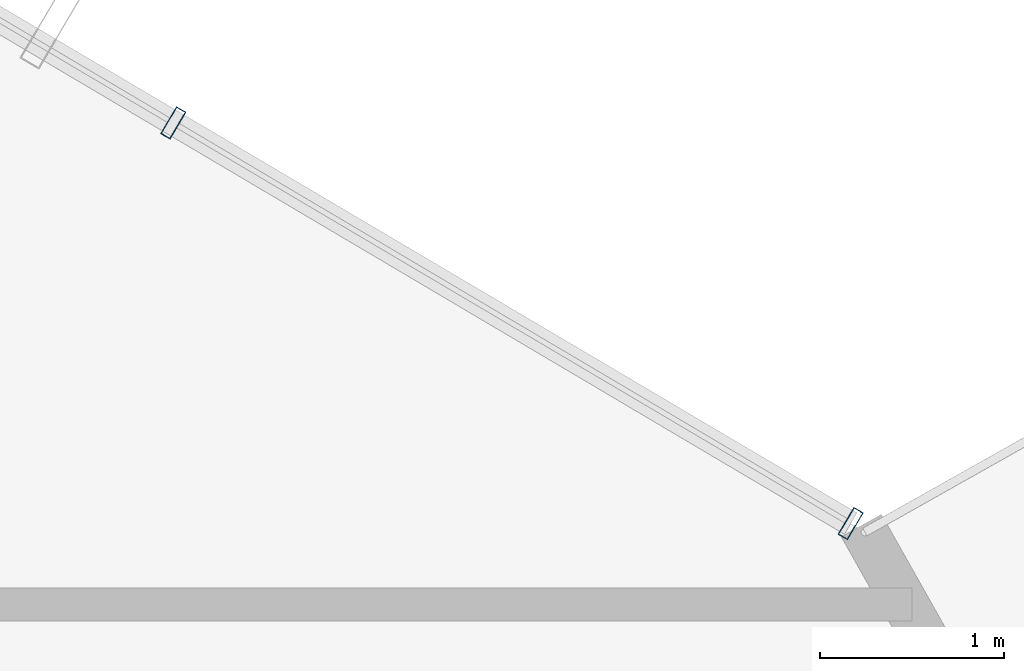
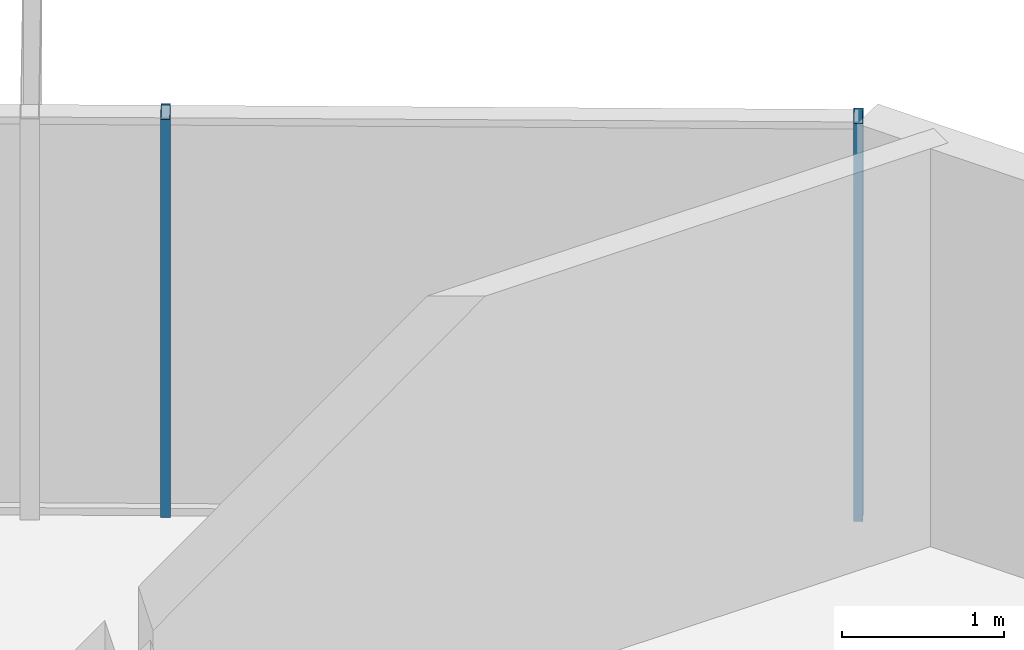
# One storey, part 24 of 30: 2 members, 1 element without a shape of its own.
"""IFC4 building model written with IfcOpenShell, lengths in metres."""

from ifc_helpers import new_model, si_unit, direction, frame, origin, origin_2d, place, context, subcontext, project, spatial, hollow_rectangle, extrude, source, transform, mapped, material, layer, layer_set, material_profile, profile_set, type_object, element, aggregate, save


model = new_model("IFC4")

# Units and contexts
model_context = context("Model", 3, precision=1e-05, world=origin(), true_north=direction((0.0, 1.0)))
body_context = subcontext(model_context, "Body", "Model", "MODEL_VIEW")
ifc_project = project(units=[si_unit("LENGTHUNIT", "METRE"), si_unit("AREAUNIT", "SQUARE_METRE"), si_unit("VOLUMEUNIT", "CUBIC_METRE"), si_unit("PLANEANGLEUNIT", "RADIAN"), si_unit("MASSUNIT", "GRAM", prefix="KILO")], contexts=[model_context])

# Site, building, storey
site_placement = place(None, origin())
site = spatial("IfcSite", under=ifc_project, at=site_placement, CompositionType="ELEMENT")
building_placement = place(site_placement, origin())
building = spatial("IfcBuilding", under=site, at=building_placement, Name="Veraguas Prism Commons", CompositionType="ELEMENT")
storey_placement = place(building_placement, frame((0.0, 0.0, 126.25)))
storey = spatial("IfcBuildingStorey", under=building, at=storey_placement, Name="L35", CompositionType="ELEMENT", Elevation=126.25)

# Curtain wall, members
ifc_material = material(Name="Anodised aluminium EN AW-6063 T6", Category="aluminium")
ifc_layer = layer(ifc_material, 0.169921875, Name="Unitised Flush Curtain Wall Zone 2", Category="aluminium")
ifc_layer_set = layer_set([ifc_layer], Name="Anodised aluminium EN AW-6063 T6")
curtain_wall_type = type_object("IfcCurtainWallType", Name="Unitised Flush Curtain Wall Zone 2", PredefinedType="NOTDEFINED", material=ifc_layer_set)
curtain_wall_placement = place(storey_placement, origin())
curtain_wall = element("IfcCurtainWall", 1, at=curtain_wall_placement, inside=storey, type_object=curtain_wall_type, Name="Tower Facade Curtain Wall L35-F1", PredefinedType="NOTDEFINED")
ifc_material_profile = material_profile(ifc_material, hollow_rectangle(XDim=0.06005859375, YDim=0.169921875, WallThickness=0.00390625, at=origin_2d()), Name="AL60X170X4")
ifc_profile_set = profile_set([ifc_material_profile], Name="Anodised aluminium EN AW-6063 T6")
member_type = type_object("IfcMemberType", Name="Curtain Wall Mullion Lower AL 60x170x4", PredefinedType="MULLION", material=ifc_profile_set)
shared_shape = source(origin(), body_context, "Body", "SweptSolid", [
    extrude(hollow_rectangle(XDim=0.06005859375, YDim=0.169921875, WallThickness=0.00390625, at=origin_2d()), origin(), (0.0, 0.0, 1.0), 3.0),
])
member_1_placement = place(storey_placement, frame((41.156005859375, 36.139892578125, 0.0), z_axis=(0.0, 0.0, 1.0), x_axis=(-0.860742027004, 0.50904141575, 0.0)))
member_1 = element("IfcMember", 2, at=member_1_placement, type_object=member_type, Name="CW-Z2 Mullion 1", PredefinedType="MULLION", context=body_context, shape_type="MappedRepresentation", body=[
    mapped(shared_shape, transform((0.0, 0.0, 0.0), scale=1.0)),
])
member_2_placement = place(storey_placement, frame((37.473388671875, 38.31787109375, 0.0), z_axis=(0.0, 0.0, 1.0), x_axis=(-0.860742027004, 0.50904141575, 0.0)))
member_2 = element("IfcMember", 3, at=member_2_placement, type_object=member_type, Name="CW-Z2 Mullion 2", PredefinedType="MULLION", context=body_context, shape_type="MappedRepresentation", body=[
    mapped(shared_shape, transform((0.0, 0.0, 0.0), scale=1.0)),
])
aggregate(curtain_wall, [member_1, member_2])

save(model, "model.ifc")
